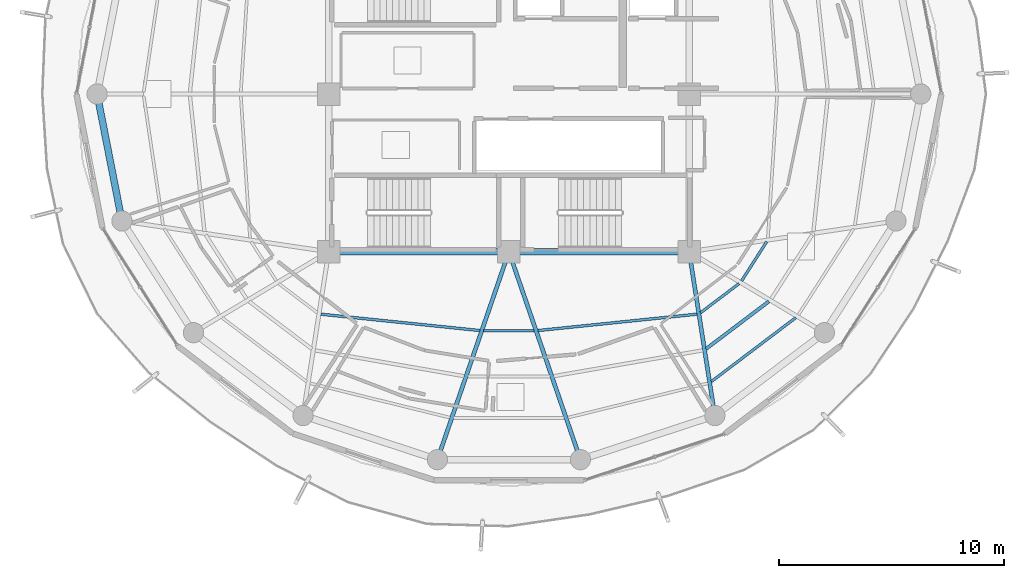
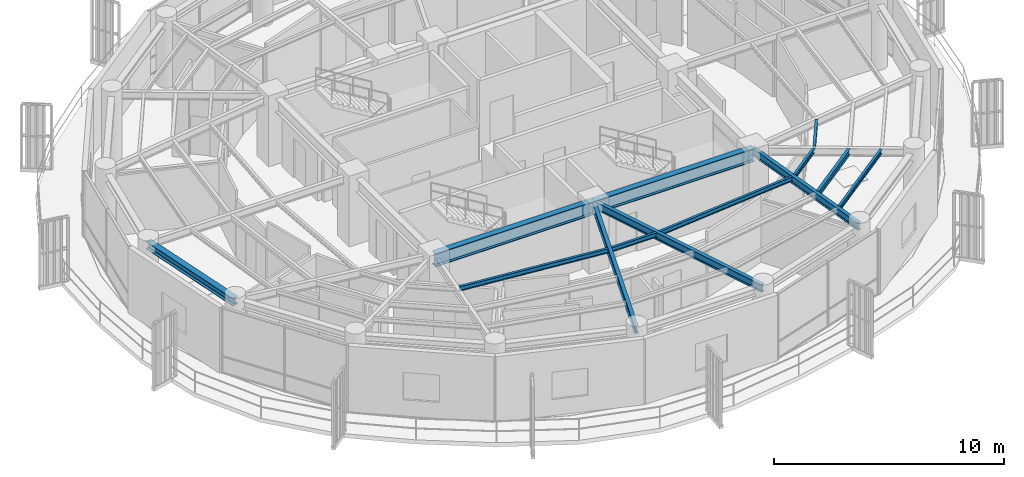
# One storey, part 4 of 22: 13 beams.
"""IFC4 building model written with IfcOpenShell, lengths in metres."""

from ifc_helpers import new_model, si_unit, direction, frame, origin, origin_2d, place, context, subcontext, project, spatial, i_section, extrude, material, material_profile, profile_set, type_object, element, save


model = new_model("IFC4")

# Units and contexts
model_context = context("Model", 3, precision=1e-05, world=origin(), true_north=direction((0.0, 1.0)))
body_context = subcontext(model_context, "Body", "Model", "MODEL_VIEW")
ifc_project = project(units=[si_unit("LENGTHUNIT", "METRE"), si_unit("AREAUNIT", "SQUARE_METRE"), si_unit("VOLUMEUNIT", "CUBIC_METRE"), si_unit("PLANEANGLEUNIT", "RADIAN"), si_unit("MASSUNIT", "GRAM", prefix="KILO")], contexts=[model_context])

# Site, building, storey
site_placement = place(None, origin())
site = spatial("IfcSite", under=ifc_project, at=site_placement, CompositionType="ELEMENT")
building_placement = place(site_placement, origin())
building = spatial("IfcBuilding", under=site, at=building_placement, Name="Kelanora Arch Commons", CompositionType="ELEMENT")
storey_placement = place(building_placement, frame((0.0, 0.0, 271.199951171875)))
storey = spatial("IfcBuildingStorey", under=building, at=storey_placement, Name="L69", CompositionType="ELEMENT", Elevation=271.199951171875)

# Beams
ifc_material = material(Name="Steel S355", Category="steel")
ifc_material_profile_1 = material_profile(ifc_material, i_section(OverallWidth=0.300048828125, OverallDepth=0.699951171875, WebThickness=0.01708984375, FlangeThickness=0.031982421875, FilletRadius=0.027099609375, at=origin_2d()), Name="HEB700")
ifc_profile_set_1 = profile_set([ifc_material_profile_1], Name="Steel S355")
beam_type_1 = type_object("IfcBeamType", Name="BM-CORE-HDR", PredefinedType="BEAM", material=ifc_profile_set_1)
for number, where, z_axis, x_axis, name in (
    (1, (66.0, 51.0, 3.14013671875), (1.0, 0.0, 0.0), (0.0, 1.0, 0.0), "Core Header Beam 01 L69"),
    (2, (74.0, 51.0, 3.14013671875), (1.0, 0.0, 0.0), (0.0, 1.0, 0.0), "Core Header Beam 02 L69"),
):
    element("IfcBeam", number, at=place(storey_placement, frame(where, z_axis=z_axis, x_axis=x_axis)), inside=storey, type_object=beam_type_1, Name=name, PredefinedType="BEAM", context=body_context, shape_type="SweptSolid", body=[
        extrude(i_section(OverallWidth=0.300048828125, OverallDepth=0.699951171875, WebThickness=0.01708984375, FlangeThickness=0.031982421875, FilletRadius=0.027099609375, at=origin_2d()), origin(), (0.0, 0.0, 1.0), 8.0),
    ])
ifc_material_profile_2 = material_profile(ifc_material, i_section(OverallWidth=0.14990234375, OverallDepth=0.300048828125, WebThickness=0.007080078125, FlangeThickness=0.0107421875, FilletRadius=0.014892578125, at=origin_2d()), Name="IPE300")
ifc_profile_set_2 = profile_set([ifc_material_profile_2], Name="Steel S355")
beam_type_2 = type_object("IfcBeamType", Name="BM-JST-01", PredefinedType="JOIST", material=ifc_profile_set_2)
beam_1_placement = place(storey_placement, frame((82.751708984375, 46.68798828125, 3.340087890625), z_axis=(0.797499198801, 0.603320004568, 0.0), x_axis=(-0.603320004568, 0.797499198801, 0.0)))
element("IfcBeam", 3, at=beam_1_placement, inside=storey, type_object=beam_type_2, Name="Secondary Chord Joist BJB-30 L69", PredefinedType="JOIST", context=body_context, shape_type="SweptSolid", body=[
    extrude(i_section(OverallWidth=0.14990234375, OverallDepth=0.300048828125, WebThickness=0.007080078125, FlangeThickness=0.0107421875, FilletRadius=0.014892578125, at=origin_2d()), origin(), (0.0, 0.0, 1.0), 3.489013671875),
])
ifc_material_profile_3 = material_profile(ifc_material, i_section(OverallWidth=0.1201171875, OverallDepth=0.239990234375, WebThickness=0.006103515625, FlangeThickness=0.009765625, FilletRadius=0.014892578125, at=origin_2d()), Name="IPE240")
ifc_profile_set_3 = profile_set([ifc_material_profile_3], Name="Steel S355")
beam_type_3 = type_object("IfcBeamType", Name="BM-JST-02", PredefinedType="JOIST", material=ifc_profile_set_3)
beam_2_placement = place(storey_placement, frame((65.6513671875, 48.227783203125, 3.3701171875), z_axis=(0.994746545688, -0.102368500239, 0.0), x_axis=(0.102368500239, 0.994746545688, 0.0)))
element("IfcBeam", 4, at=beam_2_placement, inside=storey, type_object=beam_type_3, Name="Secondary Chord Joist BJA-24 L69", PredefinedType="JOIST", context=body_context, shape_type="SweptSolid", body=[
    extrude(i_section(OverallWidth=0.1201171875, OverallDepth=0.239990234375, WebThickness=0.006103515625, FlangeThickness=0.009765625, FilletRadius=0.014892578125, at=origin_2d()), origin(), (0.0, 0.0, 1.0), 7.09521484375),
])
beam_3_placement = place(storey_placement, frame((72.87890625, 47.492919921875, 3.3701171875), z_axis=(1.0, 0.0, 0.0), x_axis=(0.0, 1.0, 0.0)))
element("IfcBeam", 5, at=beam_3_placement, inside=storey, type_object=beam_type_3, Name="Secondary Chord Joist BJA-26 L69", PredefinedType="JOIST", context=body_context, shape_type="SweptSolid", body=[
    extrude(i_section(OverallWidth=0.1201171875, OverallDepth=0.239990234375, WebThickness=0.006103515625, FlangeThickness=0.009765625, FilletRadius=0.014892578125, at=origin_2d()), origin(), (0.0, 0.0, 1.0), 2.2421875),
])
beam_4_placement = place(storey_placement, frame((75.290771484375, 47.50146484375, 3.3701171875), z_axis=(0.994746545688, 0.102368500239, 0.0), x_axis=(-0.102368500239, 0.994746545688, 0.0)))
element("IfcBeam", 6, at=beam_4_placement, inside=storey, type_object=beam_type_3, Name="Secondary Chord Joist BJA-28 L69", PredefinedType="JOIST", context=body_context, shape_type="SweptSolid", body=[
    extrude(i_section(OverallWidth=0.1201171875, OverallDepth=0.239990234375, WebThickness=0.006103515625, FlangeThickness=0.009765625, FilletRadius=0.014892578125, at=origin_2d()), origin(), (0.0, 0.0, 1.0), 7.09521484375),
])
beam_5_placement = place(storey_placement, frame((82.5009765625, 48.287841796875, 3.3701171875), z_axis=(0.797509883882, 0.603305880222, 0.0), x_axis=(-0.603305880222, 0.797509883882, 0.0)))
element("IfcBeam", 7, at=beam_5_placement, inside=storey, type_object=beam_type_3, Name="Secondary Chord Joist BJA-30 L69", PredefinedType="JOIST", context=body_context, shape_type="SweptSolid", body=[
    extrude(i_section(OverallWidth=0.1201171875, OverallDepth=0.239990234375, WebThickness=0.006103515625, FlangeThickness=0.009765625, FilletRadius=0.014892578125, at=origin_2d()), origin(), (0.0, 0.0, 1.0), 2.147216796875),
])
beam_6_placement = place(storey_placement, frame((82.979736328125, 45.233642578125, 3.3701171875), z_axis=(0.79752302984, 0.60328850219, 0.0), x_axis=(-0.60328850219, 0.79752302984, 0.0)))
element("IfcBeam", 8, at=beam_6_placement, inside=storey, type_object=beam_type_3, Name="Secondary Chord Joist BJC-30 L69", PredefinedType="JOIST", context=body_context, shape_type="SweptSolid", body=[
    extrude(i_section(OverallWidth=0.1201171875, OverallDepth=0.239990234375, WebThickness=0.006103515625, FlangeThickness=0.009765625, FilletRadius=0.014892578125, at=origin_2d()), origin(), (0.0, 0.0, 1.0), 4.70849609375),
])
beam_7_placement = place(storey_placement, frame((84.3271484375, 49.706298828125, 3.3701171875), z_axis=(0.539311810315, 0.842106152011, 0.0), x_axis=(-0.842106152011, 0.539311810315, 0.0)))
element("IfcBeam", 9, at=beam_7_placement, inside=storey, type_object=beam_type_3, Name="Secondary Chord Joist BJA-32 L69", PredefinedType="JOIST", context=body_context, shape_type="SweptSolid", body=[
    extrude(i_section(OverallWidth=0.1201171875, OverallDepth=0.239990234375, WebThickness=0.006103515625, FlangeThickness=0.009765625, FilletRadius=0.014892578125, at=origin_2d()), origin(), (0.0, 0.0, 1.0), 2.06640625),
])
ifc_material_profile_4 = material_profile(ifc_material, i_section(OverallWidth=0.179931640625, OverallDepth=0.39990234375, WebThickness=0.008544921875, FlangeThickness=0.013427734375, FilletRadius=0.02099609375, at=origin_2d()), Name="IPE400")
ifc_profile_set_4 = profile_set([ifc_material_profile_4], Name="Steel S355")
beam_type_4 = type_object("IfcBeamType", Name="BM-RAD-Z5", PredefinedType="BEAM", material=ifc_profile_set_4)
for number, where, z_axis, x_axis, name in (
    (10, (74.0, 51.0, 3.2900390625), (-0.325233562807, -0.945633718532, 0.0), (0.945633718532, -0.325233562807, 0.0), "Radial Floor Girder BR-26 L69"),
    (11, (74.0, 51.0, 3.2900390625), (0.325233562807, -0.945633718532, 0.0), (0.945633718532, 0.325233562807, 0.0), "Radial Floor Girder BR-28 L69"),
):
    element("IfcBeam", number, at=place(storey_placement, frame(where, z_axis=z_axis, x_axis=x_axis)), inside=storey, type_object=beam_type_4, Name=name, PredefinedType="BEAM", context=body_context, shape_type="SweptSolid", body=[
        extrude(i_section(OverallWidth=0.179931640625, OverallDepth=0.39990234375, WebThickness=0.008544921875, FlangeThickness=0.013427734375, FilletRadius=0.02099609375, at=origin_2d()), origin(), (0.0, 0.0, 1.0), 9.760009765625),
    ])
beam_8_placement = place(storey_placement, frame((82.0, 51.0, 3.2900390625), z_axis=(0.154855424129, -0.987937142544, 0.0), x_axis=(0.987937142544, 0.154855424129, 0.0)))
element("IfcBeam", 12, at=beam_8_placement, inside=storey, type_object=beam_type_4, Name="Radial Floor Girder BR-30 L69", PredefinedType="BEAM", context=body_context, shape_type="SweptSolid", body=[
    extrude(i_section(OverallWidth=0.179931640625, OverallDepth=0.39990234375, WebThickness=0.008544921875, FlangeThickness=0.013427734375, FilletRadius=0.02099609375, at=origin_2d()), origin(), (0.0, 0.0, 1.0), 7.361083984375),
])
ifc_material_profile_5 = material_profile(ifc_material, i_section(OverallWidth=0.300048828125, OverallDepth=0.39990234375, WebThickness=0.013427734375, FlangeThickness=0.02392578125, FilletRadius=0.027099609375, at=origin_2d()), Name="HEB400")
ifc_profile_set_5 = profile_set([ifc_material_profile_5], Name="Steel S355")
beam_type_5 = type_object("IfcBeamType", Name="BM-SPN-Z4", PredefinedType="SPANDREL", material=ifc_profile_set_5)
beam_9_placement = place(storey_placement, frame((55.719970703125, 58.0, 3.2900390625), z_axis=(0.191969774604, -0.981400838413, 0.0), x_axis=(0.981400838413, 0.191969774604, 0.0)))
element("IfcBeam", 13, at=beam_9_placement, inside=storey, type_object=beam_type_5, Name="Perimeter Spandrel Beam BS-18 L69", PredefinedType="SPANDREL", context=body_context, shape_type="SweptSolid", body=[
    extrude(i_section(OverallWidth=0.300048828125, OverallDepth=0.39990234375, WebThickness=0.013427734375, FlangeThickness=0.02392578125, FilletRadius=0.027099609375, at=origin_2d()), origin(), (0.0, 0.0, 1.0), 5.743408203125),
])

save(model, "model.ifc")
